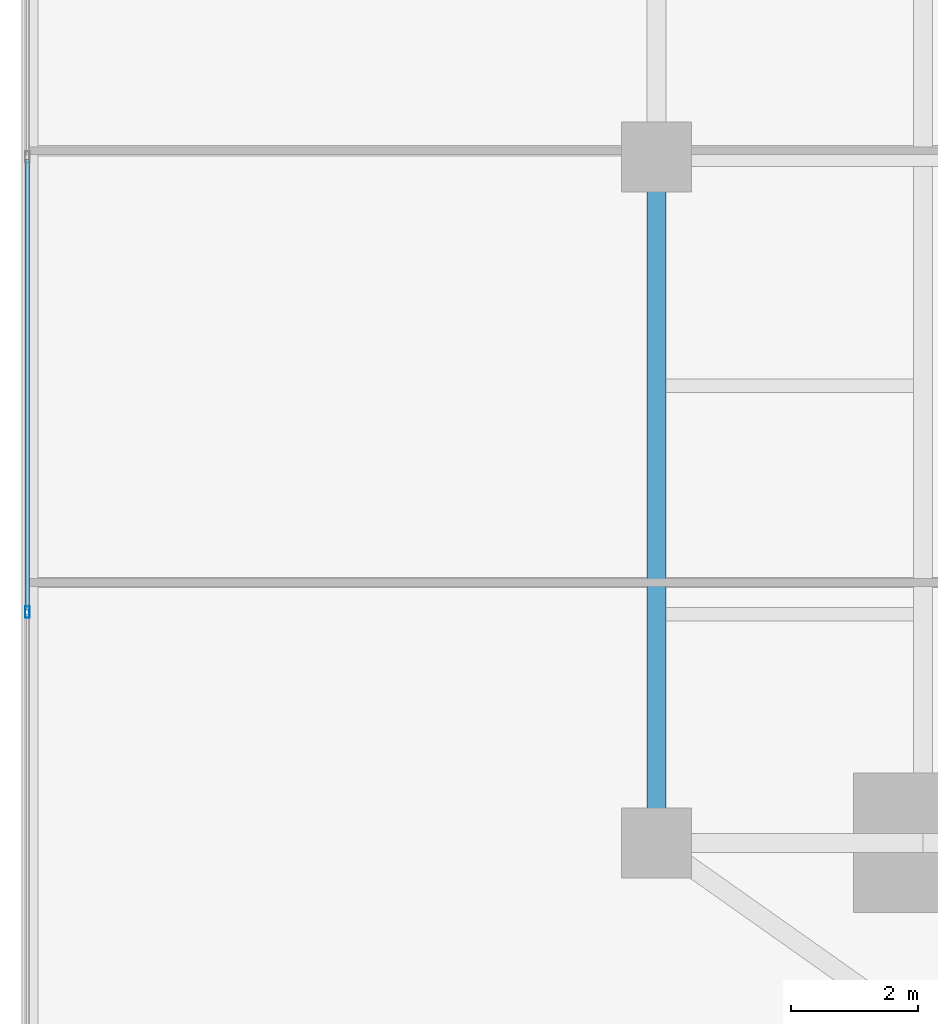
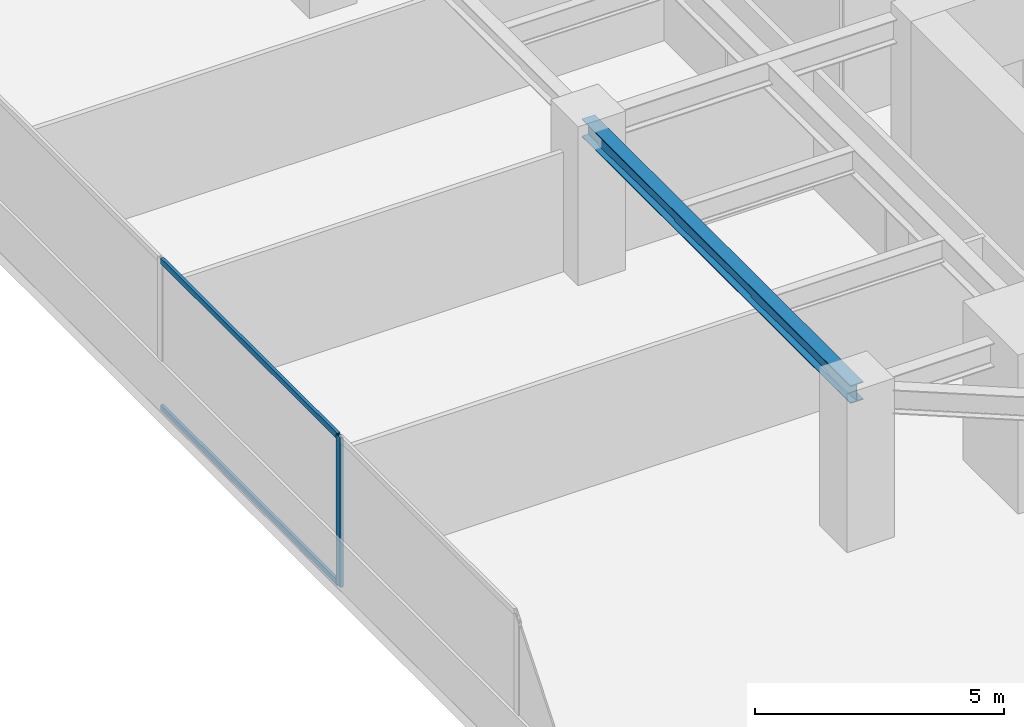
# One storey, part 7 of 30: 3 members, 1 beam, 1 element without a shape of its own.
"""IFC4 building model written with IfcOpenShell, lengths in metres."""

from ifc_helpers import new_model, si_unit, direction, frame, origin, origin_2d, place, context, subcontext, project, spatial, hollow_rectangle, i_section, extrude, source, transform, mapped, material, material_profile, profile_set, type_object, type_shapes, element, aggregate, save


model = new_model("IFC4")

# Units and contexts
model_context = context("Model", 3, precision=1e-05, world=origin(), true_north=direction((0.0, 1.0)))
body_context = subcontext(model_context, "Body", "Model", "MODEL_VIEW")
ifc_project = project(units=[si_unit("LENGTHUNIT", "METRE"), si_unit("AREAUNIT", "SQUARE_METRE"), si_unit("VOLUMEUNIT", "CUBIC_METRE"), si_unit("PLANEANGLEUNIT", "RADIAN"), si_unit("MASSUNIT", "GRAM", prefix="KILO")], contexts=[model_context])

# Site, building, storey
site_placement = place(None, origin())
site = spatial("IfcSite", under=ifc_project, at=site_placement, CompositionType="ELEMENT")
building_placement = place(site_placement, origin())
building = spatial("IfcBuilding", under=site, at=building_placement, Name="Krantzveldt Concourse Tower", CompositionType="ELEMENT")
storey_placement = place(building_placement, frame((0.0, 0.0, 25.0)))
storey = spatial("IfcBuildingStorey", under=building, at=storey_placement, Name="L05", CompositionType="ELEMENT", Elevation=25.0)

# Beam
ifc_material_1 = material(Name="Steel S355JR", Category="steel")
ifc_material_profile_1 = material_profile(ifc_material_1, i_section(OverallWidth=0.300048828125, OverallDepth=0.43994140625, WebThickness=0.011474609375, FlangeThickness=0.02099609375, FilletRadius=0.027099609375, at=origin_2d()), Name="Steel S355JR", Category="steel")
ifc_profile_set_1 = profile_set([ifc_material_profile_1], Name="Steel S355JR - HEA 450")
beam_type = type_object("IfcBeamType", Name="BM-SP-HEA450", PredefinedType="SPANDREL", material=ifc_profile_set_1)
shared_shape_1 = source(origin(), body_context, "Body", "SweptSolid", [
    extrude(i_section(OverallWidth=0.300048828125, OverallDepth=0.43994140625, WebThickness=0.011474609375, FlangeThickness=0.02099609375, FilletRadius=0.027099609375, at=origin_2d()), origin(), (0.0, 0.0, 1.0), 10.800048828125),
])
type_shapes(beam_type, [shared_shape_1])
beam_placement = place(storey_placement, frame((21.0, 15.89990234375, 3.449951171875), z_axis=(0.0, 1.0, 0.0), x_axis=(-1.0, 0.0, 0.0)))
element("IfcBeam", 1, at=beam_placement, inside=storey, type_object=beam_type, Name="L05 Tower Girder SP-R01", PredefinedType="SPANDREL", context=body_context, shape_type="MappedRepresentation", body=[
    mapped(shared_shape_1, transform((0.0, 0.0, 0.0), x_axis=(1.0, 0.0, 0.0), y_axis=(0.0, 1.0, 0.0), z_axis=(0.0, 0.0, 1.0), scale=1.0)),
])

# Curtain wall, members
ifc_material_2 = material(Name="Anodised aluminium 6063-T6", Category="aluminium")
curtain_wall_type = type_object("IfcCurtainWallType", Name="CW2", PredefinedType="USERDEFINED", material=ifc_material_2)
curtain_wall_placement = place(storey_placement, origin())
curtain_wall = element("IfcCurtainWall", 2, at=curtain_wall_placement, inside=storey, type_object=curtain_wall_type, Name="CW-L05-F01", ObjectType="UNITISED CURTAIN WALL", PredefinedType="USERDEFINED")
ifc_material_profile_2 = material_profile(ifc_material_2, hollow_rectangle(XDim=0.070068359375, YDim=0.179931640625, WallThickness=0.0048828125, at=origin_2d()), Name="Anodised aluminium 6063-T6", Category="aluminium")
ifc_profile_set_2 = profile_set([ifc_material_profile_2], Name="Anodised aluminium 6063-T6 - ALU-MULL 180x70x5")
member_type_1 = type_object("IfcMemberType", Name="CW-MUL-180", PredefinedType="MULLION", material=ifc_profile_set_2)
shared_shape_2 = source(origin(), body_context, "Body", "SweptSolid", [
    extrude(hollow_rectangle(XDim=0.070068359375, YDim=0.179931640625, WallThickness=0.0048828125, at=origin_2d()), origin(), (0.0, 0.0, 1.0), 3.669921875),
])
type_shapes(member_type_1, [shared_shape_2])
member_1_placement = place(storey_placement, frame((11.090087890625, 19.533447265625, 0.0), z_axis=(0.0, 0.0, 1.0), x_axis=(1.0, 0.0, 0.0)))
member_1 = element("IfcMember", 3, at=member_1_placement, type_object=member_type_1, Name="CW-Z12 mullion 5", PredefinedType="MULLION", context=body_context, shape_type="MappedRepresentation", body=[
    mapped(shared_shape_2, transform((0.0, 0.0, 0.0), x_axis=(1.0, 0.0, 0.0), y_axis=(0.0, 1.0, 0.0), z_axis=(0.0, 0.0, 1.0), scale=1.0)),
])
ifc_material_profile_3 = material_profile(ifc_material_2, hollow_rectangle(XDim=0.070068359375, YDim=0.139892578125, WallThickness=0.0048828125, at=origin_2d()), Name="Anodised aluminium 6063-T6", Category="aluminium")
ifc_profile_set_3 = profile_set([ifc_material_profile_3], Name="Anodised aluminium 6063-T6 - ALU-TRAN 140x70x5")
member_type_2 = type_object("IfcMemberType", Name="CW-TRN-150", PredefinedType="USERDEFINED", material=ifc_profile_set_3)
shared_shape_3 = source(origin(), body_context, "Body", "SweptSolid", [
    extrude(hollow_rectangle(XDim=0.070068359375, YDim=0.139892578125, WallThickness=0.0048828125, at=origin_2d()), origin(), (0.0, 0.0, 1.0), 7.0966796875),
])
type_shapes(member_type_2, [shared_shape_3])
member_2_placement = place(storey_placement, frame((11.090087890625, 26.6650390625, 0.034912109375), z_axis=(0.0, -1.0, 0.0), x_axis=(1.0, 0.0, 0.0)))
member_2 = element("IfcMember", 4, at=member_2_placement, type_object=member_type_2, Name="CW-Z12 transom 4.1", ObjectType="TRANSOM", PredefinedType="USERDEFINED", context=body_context, shape_type="MappedRepresentation", body=[
    mapped(shared_shape_3, transform((0.0, 0.0, 0.0), x_axis=(1.0, 0.0, 0.0), y_axis=(0.0, 1.0, 0.0), z_axis=(0.0, 0.0, 1.0), scale=1.0)),
])
member_3_placement = place(storey_placement, frame((11.090087890625, 26.6650390625, 3.635009765625), z_axis=(0.0, -1.0, 0.0), x_axis=(1.0, 0.0, 0.0)))
member_3 = element("IfcMember", 5, at=member_3_placement, type_object=member_type_2, Name="CW-Z12 transom 4.2", ObjectType="TRANSOM", PredefinedType="USERDEFINED", context=body_context, shape_type="MappedRepresentation", body=[
    mapped(shared_shape_3, transform((0.0, 0.0, 0.0), x_axis=(1.0, 0.0, 0.0), y_axis=(0.0, 1.0, 0.0), z_axis=(0.0, 0.0, 1.0), scale=1.0)),
])
aggregate(curtain_wall, [member_1, member_2, member_3])

save(model, "model.ifc")
